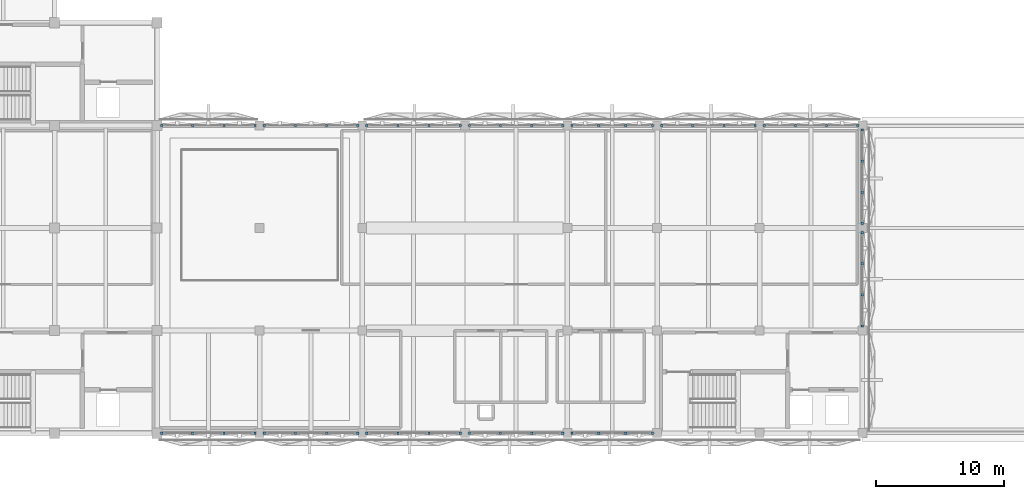
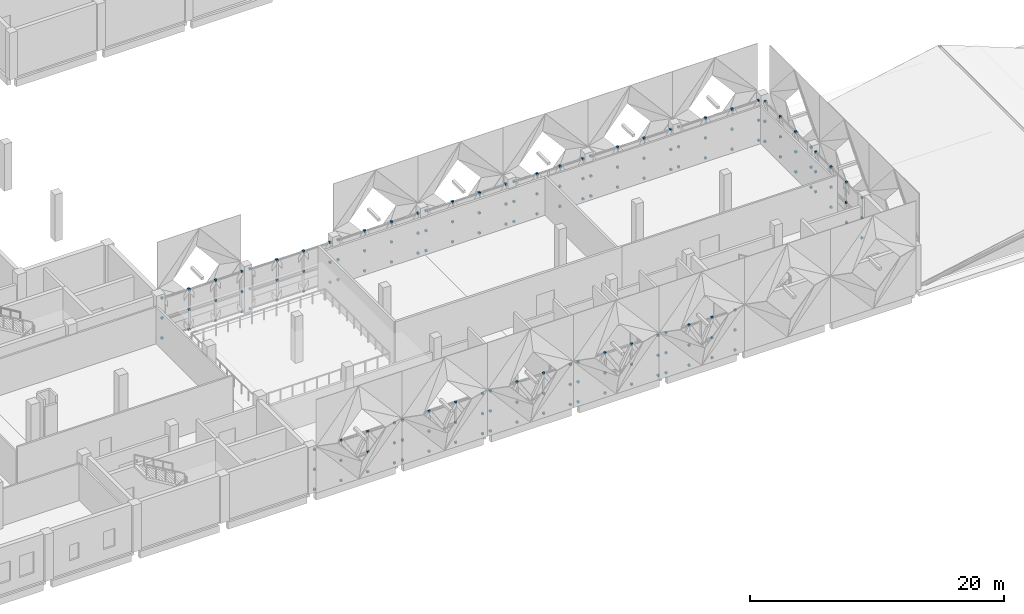
# One storey, part 28 of 37: 168 discrete accessories.
"""IFC4 building model written with IfcOpenShell, lengths in metres."""

from ifc_helpers import new_model, si_unit, direction, frame, origin, origin_2d, place, context, subcontext, project, spatial, rectangle, extrude, material, type_object, element, save


model = new_model("IFC4")

# Units and contexts
model_context = context("Model", 3, precision=1e-05, world=origin(), true_north=direction((0.0, 1.0)))
body_context = subcontext(model_context, "Body", "Model", "MODEL_VIEW")
ifc_project = project(units=[si_unit("LENGTHUNIT", "METRE"), si_unit("AREAUNIT", "SQUARE_METRE"), si_unit("VOLUMEUNIT", "CUBIC_METRE"), si_unit("PLANEANGLEUNIT", "RADIAN"), si_unit("MASSUNIT", "GRAM", prefix="KILO")], contexts=[model_context])

# Site, building, storey
site_placement = place(None, origin())
site = spatial("IfcSite", under=ifc_project, at=site_placement, CompositionType="ELEMENT")
building_placement = place(site_placement, origin())
building = spatial("IfcBuilding", under=site, at=building_placement, Name="Qorikala Patio Media Centre", CompositionType="ELEMENT")
storey_placement = place(building_placement, frame((0.0, 0.0, 14.39990234375)))
storey = spatial("IfcBuildingStorey", under=building, at=storey_placement, Name="L03", CompositionType="ELEMENT", Elevation=14.39990234375)

# Discrete accessories
ifc_material = material(Name="Steel S355", Category="steel")
discrete_accessory_type = type_object("IfcDiscreteAccessoryType", Name="ACC-BRACKET", PredefinedType="BRACKET", material=ifc_material)
for number, where, z_axis, x_axis, name in (
    (1, (98.0, 26.639892578125, -0.08984375), (0.0, 0.0, 1.0), (1.0, 0.0, 0.0), "L03 Brace End Bolted Connection Bracket 0487"),
    (2, (98.0, 24.21337890625, -0.08984375), (0.0, 0.0, 1.0), (1.0, 0.0, 0.0), "L03 Brace End Bolted Connection Bracket 0488"),
    (3, (98.0, 26.639892578125, 3.76025390625), (0.0, 0.0, 1.0), (1.0, 0.0, 0.0), "L03 Brace End Bolted Connection Bracket 0489"),
    (4, (98.0, 24.21337890625, 3.76025390625), (0.0, 0.0, 1.0), (1.0, 0.0, 0.0), "L03 Brace End Bolted Connection Bracket 0490"),
    (5, (98.0, 26.639892578125, 1.8349609375), (0.0, 0.0, 1.0), (1.0, 0.0, 0.0), "L03 Brace End Bolted Connection Bracket 0491"),
    (6, (98.0, 24.21337890625, 1.8349609375), (0.0, 0.0, 1.0), (1.0, 0.0, 0.0), "L03 Brace End Bolted Connection Bracket 0492"),
    (7, (98.0, 21.78662109375, -0.08984375), (0.0, 0.0, 1.0), (1.0, 0.0, 0.0), "L03 Brace End Bolted Connection Bracket 0493"),
    (8, (98.0, 21.78662109375, 3.76025390625), (0.0, 0.0, 1.0), (1.0, 0.0, 0.0), "L03 Brace End Bolted Connection Bracket 0494"),
    (9, (98.0, 21.78662109375, 1.8349609375), (0.0, 0.0, 1.0), (1.0, 0.0, 0.0), "L03 Brace End Bolted Connection Bracket 0495"),
    (10, (98.0, 19.360107421875, -0.08984375), (0.0, 0.0, 1.0), (1.0, 0.0, 0.0), "L03 Brace End Bolted Connection Bracket 0496"),
    (11, (98.0, 19.360107421875, 3.76025390625), (0.0, 0.0, 1.0), (1.0, 0.0, 0.0), "L03 Brace End Bolted Connection Bracket 0497"),
    (12, (98.0, 19.360107421875, 1.8349609375), (0.0, 0.0, 1.0), (1.0, 0.0, 0.0), "L03 Brace End Bolted Connection Bracket 0498"),
    (13, (98.0, 18.639892578125, -0.08984375), (0.0, 0.0, 1.0), (1.0, 0.0, 0.0), "L03 Brace End Bolted Connection Bracket 0499"),
    (14, (98.0, 16.21337890625, -0.08984375), (0.0, 0.0, 1.0), (1.0, 0.0, 0.0), "L03 Brace End Bolted Connection Bracket 0500"),
    (15, (98.0, 18.639892578125, 3.76025390625), (0.0, 0.0, 1.0), (1.0, 0.0, 0.0), "L03 Brace End Bolted Connection Bracket 0501"),
    (16, (98.0, 16.21337890625, 3.76025390625), (0.0, 0.0, 1.0), (1.0, 0.0, 0.0), "L03 Brace End Bolted Connection Bracket 0502"),
    (17, (98.0, 18.639892578125, 1.8349609375), (0.0, 0.0, 1.0), (1.0, 0.0, 0.0), "L03 Brace End Bolted Connection Bracket 0503"),
    (18, (98.0, 16.21337890625, 1.8349609375), (0.0, 0.0, 1.0), (1.0, 0.0, 0.0), "L03 Brace End Bolted Connection Bracket 0504"),
    (19, (98.0, 13.78662109375, -0.08984375), (0.0, 0.0, 1.0), (1.0, 0.0, 0.0), "L03 Brace End Bolted Connection Bracket 0505"),
    (20, (98.0, 13.78662109375, 3.76025390625), (0.0, 0.0, 1.0), (1.0, 0.0, 0.0), "L03 Brace End Bolted Connection Bracket 0506"),
    (21, (98.0, 13.78662109375, 1.8349609375), (0.0, 0.0, 1.0), (1.0, 0.0, 0.0), "L03 Brace End Bolted Connection Bracket 0507"),
    (22, (98.0, 11.360107421875, -0.08984375), (0.0, 0.0, 1.0), (1.0, 0.0, 0.0), "L03 Brace End Bolted Connection Bracket 0508"),
    (23, (98.0, 11.360107421875, 3.76025390625), (0.0, 0.0, 1.0), (1.0, 0.0, 0.0), "L03 Brace End Bolted Connection Bracket 0509"),
    (24, (98.0, 11.360107421875, 1.8349609375), (0.0, 0.0, 1.0), (1.0, 0.0, 0.0), "L03 Brace End Bolted Connection Bracket 0510"),
    (25, (81.639892578125, 3.0, -0.08984375), (0.0, 0.0, 1.0), (1.0, 0.0, 0.0), "L03 Brace End Bolted Connection Bracket 0511"),
    (26, (79.546630859375, 3.0, -0.08984375), (0.0, 0.0, 1.0), (1.0, 0.0, 0.0), "L03 Brace End Bolted Connection Bracket 0512"),
    (27, (81.639892578125, 3.0, 3.76025390625), (0.0, 0.0, 1.0), (1.0, 0.0, 0.0), "L03 Brace End Bolted Connection Bracket 0513"),
    (28, (79.546630859375, 3.0, 3.76025390625), (0.0, 0.0, 1.0), (1.0, 0.0, 0.0), "L03 Brace End Bolted Connection Bracket 0514"),
    (29, (81.639892578125, 3.0, 1.8349609375), (0.0, 0.0, 1.0), (1.0, 0.0, 0.0), "L03 Brace End Bolted Connection Bracket 0515"),
    (30, (79.546630859375, 3.0, 1.8349609375), (0.0, 0.0, 1.0), (1.0, 0.0, 0.0), "L03 Brace End Bolted Connection Bracket 0516"),
    (31, (77.453369140625, 3.0, -0.08984375), (0.0, 0.0, 1.0), (1.0, 0.0, 0.0), "L03 Brace End Bolted Connection Bracket 0517"),
    (32, (77.453369140625, 3.0, 3.76025390625), (0.0, 0.0, 1.0), (1.0, 0.0, 0.0), "L03 Brace End Bolted Connection Bracket 0518"),
    (33, (77.453369140625, 3.0, 1.8349609375), (0.0, 0.0, 1.0), (1.0, 0.0, 0.0), "L03 Brace End Bolted Connection Bracket 0519"),
    (34, (75.360107421875, 3.0, -0.08984375), (0.0, 0.0, 1.0), (1.0, 0.0, 0.0), "L03 Brace End Bolted Connection Bracket 0520"),
    (35, (75.360107421875, 3.0, 3.76025390625), (0.0, 0.0, 1.0), (1.0, 0.0, 0.0), "L03 Brace End Bolted Connection Bracket 0521"),
    (36, (75.360107421875, 3.0, 1.8349609375), (0.0, 0.0, 1.0), (1.0, 0.0, 0.0), "L03 Brace End Bolted Connection Bracket 0522"),
    (37, (74.639892578125, 3.0, -0.08984375), (0.0, 0.0, 1.0), (1.0, 0.0, 0.0), "L03 Brace End Bolted Connection Bracket 0523"),
    (38, (72.21337890625, 3.0, -0.08984375), (0.0, 0.0, 1.0), (1.0, 0.0, 0.0), "L03 Brace End Bolted Connection Bracket 0524"),
    (39, (74.639892578125, 3.0, 3.76025390625), (0.0, 0.0, 1.0), (1.0, 0.0, 0.0), "L03 Brace End Bolted Connection Bracket 0525"),
    (40, (72.21337890625, 3.0, 3.76025390625), (0.0, 0.0, 1.0), (1.0, 0.0, 0.0), "L03 Brace End Bolted Connection Bracket 0526"),
    (41, (74.639892578125, 3.0, 1.8349609375), (0.0, 0.0, 1.0), (1.0, 0.0, 0.0), "L03 Brace End Bolted Connection Bracket 0527"),
    (42, (72.21337890625, 3.0, 1.8349609375), (0.0, 0.0, 1.0), (1.0, 0.0, 0.0), "L03 Brace End Bolted Connection Bracket 0528"),
    (43, (69.78662109375, 3.0, -0.08984375), (0.0, 0.0, 1.0), (1.0, 0.0, 0.0), "L03 Brace End Bolted Connection Bracket 0529"),
    (44, (69.78662109375, 3.0, 3.76025390625), (0.0, 0.0, 1.0), (1.0, 0.0, 0.0), "L03 Brace End Bolted Connection Bracket 0530"),
    (45, (69.78662109375, 3.0, 1.8349609375), (0.0, 0.0, 1.0), (1.0, 0.0, 0.0), "L03 Brace End Bolted Connection Bracket 0531"),
    (46, (67.360107421875, 3.0, -0.08984375), (0.0, 0.0, 1.0), (1.0, 0.0, 0.0), "L03 Brace End Bolted Connection Bracket 0532"),
    (47, (67.360107421875, 3.0, 3.76025390625), (0.0, 0.0, 1.0), (1.0, 0.0, 0.0), "L03 Brace End Bolted Connection Bracket 0533"),
    (48, (67.360107421875, 3.0, 1.8349609375), (0.0, 0.0, 1.0), (1.0, 0.0, 0.0), "L03 Brace End Bolted Connection Bracket 0534"),
    (49, (66.639892578125, 3.0, -0.08984375), (0.0, 0.0, 1.0), (1.0, 0.0, 0.0), "L03 Brace End Bolted Connection Bracket 0535"),
    (50, (64.21337890625, 3.0, -0.08984375), (0.0, 0.0, 1.0), (1.0, 0.0, 0.0), "L03 Brace End Bolted Connection Bracket 0536"),
    (51, (66.639892578125, 3.0, 3.76025390625), (0.0, 0.0, 1.0), (1.0, 0.0, 0.0), "L03 Brace End Bolted Connection Bracket 0537"),
    (52, (64.21337890625, 3.0, 3.76025390625), (0.0, 0.0, 1.0), (1.0, 0.0, 0.0), "L03 Brace End Bolted Connection Bracket 0538"),
    (53, (66.639892578125, 3.0, 1.8349609375), (0.0, 0.0, 1.0), (1.0, 0.0, 0.0), "L03 Brace End Bolted Connection Bracket 0539"),
    (54, (64.21337890625, 3.0, 1.8349609375), (0.0, 0.0, 1.0), (1.0, 0.0, 0.0), "L03 Brace End Bolted Connection Bracket 0540"),
    (55, (61.78662109375, 3.0, -0.08984375), (0.0, 0.0, 1.0), (1.0, 0.0, 0.0), "L03 Brace End Bolted Connection Bracket 0541"),
    (56, (61.78662109375, 3.0, 3.76025390625), (0.0, 0.0, 1.0), (1.0, 0.0, 0.0), "L03 Brace End Bolted Connection Bracket 0542"),
    (57, (61.78662109375, 3.0, 1.8349609375), (0.0, 0.0, 1.0), (1.0, 0.0, 0.0), "L03 Brace End Bolted Connection Bracket 0543"),
    (58, (59.360107421875, 3.0, -0.08984375), (0.0, 0.0, 1.0), (1.0, 0.0, 0.0), "L03 Brace End Bolted Connection Bracket 0544"),
    (59, (59.360107421875, 3.0, 3.76025390625), (0.0, 0.0, 1.0), (1.0, 0.0, 0.0), "L03 Brace End Bolted Connection Bracket 0545"),
    (60, (59.360107421875, 3.0, 1.8349609375), (0.0, 0.0, 1.0), (1.0, 0.0, 0.0), "L03 Brace End Bolted Connection Bracket 0546"),
    (61, (58.639892578125, 3.0, -0.08984375), (0.0, 0.0, 1.0), (1.0, 0.0, 0.0), "L03 Brace End Bolted Connection Bracket 0547"),
    (62, (56.21337890625, 3.0, -0.08984375), (0.0, 0.0, 1.0), (1.0, 0.0, 0.0), "L03 Brace End Bolted Connection Bracket 0548"),
    (63, (58.639892578125, 3.0, 3.76025390625), (0.0, 0.0, 1.0), (1.0, 0.0, 0.0), "L03 Brace End Bolted Connection Bracket 0549"),
    (64, (56.21337890625, 3.0, 3.76025390625), (0.0, 0.0, 1.0), (1.0, 0.0, 0.0), "L03 Brace End Bolted Connection Bracket 0550"),
    (65, (58.639892578125, 3.0, 1.8349609375), (0.0, 0.0, 1.0), (1.0, 0.0, 0.0), "L03 Brace End Bolted Connection Bracket 0551"),
    (66, (56.21337890625, 3.0, 1.8349609375), (0.0, 0.0, 1.0), (1.0, 0.0, 0.0), "L03 Brace End Bolted Connection Bracket 0552"),
    (67, (53.78662109375, 3.0, -0.08984375), (0.0, 0.0, 1.0), (1.0, 0.0, 0.0), "L03 Brace End Bolted Connection Bracket 0553"),
    (68, (53.78662109375, 3.0, 3.76025390625), (0.0, 0.0, 1.0), (1.0, 0.0, 0.0), "L03 Brace End Bolted Connection Bracket 0554"),
    (69, (53.78662109375, 3.0, 1.8349609375), (0.0, 0.0, 1.0), (1.0, 0.0, 0.0), "L03 Brace End Bolted Connection Bracket 0555"),
    (70, (51.360107421875, 3.0, -0.08984375), (0.0, 0.0, 1.0), (1.0, 0.0, 0.0), "L03 Brace End Bolted Connection Bracket 0556"),
    (71, (51.360107421875, 3.0, 3.76025390625), (0.0, 0.0, 1.0), (1.0, 0.0, 0.0), "L03 Brace End Bolted Connection Bracket 0557"),
    (72, (51.360107421875, 3.0, 1.8349609375), (0.0, 0.0, 1.0), (1.0, 0.0, 0.0), "L03 Brace End Bolted Connection Bracket 0558"),
    (73, (50.639892578125, 3.0, -0.08984375), (0.0, 0.0, 1.0), (1.0, 0.0, 0.0), "L03 Brace End Bolted Connection Bracket 0559"),
    (74, (48.21337890625, 3.0, -0.08984375), (0.0, 0.0, 1.0), (1.0, 0.0, 0.0), "L03 Brace End Bolted Connection Bracket 0560"),
    (75, (50.639892578125, 3.0, 3.76025390625), (0.0, 0.0, 1.0), (1.0, 0.0, 0.0), "L03 Brace End Bolted Connection Bracket 0561"),
    (76, (48.21337890625, 3.0, 3.76025390625), (0.0, 0.0, 1.0), (1.0, 0.0, 0.0), "L03 Brace End Bolted Connection Bracket 0562"),
    (77, (50.639892578125, 3.0, 1.8349609375), (0.0, 0.0, 1.0), (1.0, 0.0, 0.0), "L03 Brace End Bolted Connection Bracket 0563"),
    (78, (48.21337890625, 3.0, 1.8349609375), (0.0, 0.0, 1.0), (1.0, 0.0, 0.0), "L03 Brace End Bolted Connection Bracket 0564"),
    (79, (45.78662109375, 3.0, -0.08984375), (0.0, 0.0, 1.0), (1.0, 0.0, 0.0), "L03 Brace End Bolted Connection Bracket 0565"),
    (80, (45.78662109375, 3.0, 3.76025390625), (0.0, 0.0, 1.0), (1.0, 0.0, 0.0), "L03 Brace End Bolted Connection Bracket 0566"),
    (81, (45.78662109375, 3.0, 1.8349609375), (0.0, 0.0, 1.0), (1.0, 0.0, 0.0), "L03 Brace End Bolted Connection Bracket 0567"),
    (82, (43.360107421875, 3.0, -0.08984375), (0.0, 0.0, 1.0), (1.0, 0.0, 0.0), "L03 Brace End Bolted Connection Bracket 0568"),
    (83, (43.360107421875, 3.0, 3.76025390625), (0.0, 0.0, 1.0), (1.0, 0.0, 0.0), "L03 Brace End Bolted Connection Bracket 0569"),
    (84, (43.360107421875, 3.0, 1.8349609375), (0.0, 0.0, 1.0), (1.0, 0.0, 0.0), "L03 Brace End Bolted Connection Bracket 0570"),
    (85, (43.360107421875, 27.0, -0.08984375), (0.0, 0.0, 1.0), (1.0, 0.0, 0.0), "L03 Brace End Bolted Connection Bracket 0571"),
    (86, (45.78662109375, 27.0, -0.08984375), (0.0, 0.0, 1.0), (1.0, 0.0, 0.0), "L03 Brace End Bolted Connection Bracket 0572"),
    (87, (43.360107421875, 27.0, 3.76025390625), (0.0, 0.0, 1.0), (1.0, 0.0, 0.0), "L03 Brace End Bolted Connection Bracket 0573"),
    (88, (45.78662109375, 27.0, 3.76025390625), (0.0, 0.0, 1.0), (1.0, 0.0, 0.0), "L03 Brace End Bolted Connection Bracket 0574"),
    (89, (43.360107421875, 27.0, 1.8349609375), (0.0, 0.0, 1.0), (1.0, 0.0, 0.0), "L03 Brace End Bolted Connection Bracket 0575"),
    (90, (45.78662109375, 27.0, 1.8349609375), (0.0, 0.0, 1.0), (1.0, 0.0, 0.0), "L03 Brace End Bolted Connection Bracket 0576"),
    (91, (48.21337890625, 27.0, -0.08984375), (0.0, 0.0, 1.0), (1.0, 0.0, 0.0), "L03 Brace End Bolted Connection Bracket 0577"),
    (92, (48.21337890625, 27.0, 3.76025390625), (0.0, 0.0, 1.0), (1.0, 0.0, 0.0), "L03 Brace End Bolted Connection Bracket 0578"),
    (93, (48.21337890625, 27.0, 1.8349609375), (0.0, 0.0, 1.0), (1.0, 0.0, 0.0), "L03 Brace End Bolted Connection Bracket 0579"),
    (94, (50.639892578125, 27.0, -0.08984375), (0.0, 0.0, 1.0), (1.0, 0.0, 0.0), "L03 Brace End Bolted Connection Bracket 0580"),
    (95, (50.639892578125, 27.0, 3.76025390625), (0.0, 0.0, 1.0), (1.0, 0.0, 0.0), "L03 Brace End Bolted Connection Bracket 0581"),
    (96, (50.639892578125, 27.0, 1.8349609375), (0.0, 0.0, 1.0), (1.0, 0.0, 0.0), "L03 Brace End Bolted Connection Bracket 0582"),
    (97, (51.360107421875, 27.0, -0.08984375), (0.0, 0.0, 1.0), (1.0, 0.0, 0.0), "L03 Brace End Bolted Connection Bracket 0583"),
    (98, (53.78662109375, 27.0, -0.08984375), (0.0, 0.0, 1.0), (1.0, 0.0, 0.0), "L03 Brace End Bolted Connection Bracket 0584"),
    (99, (51.360107421875, 27.0, 3.76025390625), (0.0, 0.0, 1.0), (1.0, 0.0, 0.0), "L03 Brace End Bolted Connection Bracket 0585"),
    (100, (53.78662109375, 27.0, 3.76025390625), (0.0, 0.0, 1.0), (1.0, 0.0, 0.0), "L03 Brace End Bolted Connection Bracket 0586"),
    (101, (51.360107421875, 27.0, 1.8349609375), (0.0, 0.0, 1.0), (1.0, 0.0, 0.0), "L03 Brace End Bolted Connection Bracket 0587"),
    (102, (53.78662109375, 27.0, 1.8349609375), (0.0, 0.0, 1.0), (1.0, 0.0, 0.0), "L03 Brace End Bolted Connection Bracket 0588"),
    (103, (56.21337890625, 27.0, -0.08984375), (0.0, 0.0, 1.0), (1.0, 0.0, 0.0), "L03 Brace End Bolted Connection Bracket 0589"),
    (104, (56.21337890625, 27.0, 3.76025390625), (0.0, 0.0, 1.0), (1.0, 0.0, 0.0), "L03 Brace End Bolted Connection Bracket 0590"),
    (105, (56.21337890625, 27.0, 1.8349609375), (0.0, 0.0, 1.0), (1.0, 0.0, 0.0), "L03 Brace End Bolted Connection Bracket 0591"),
    (106, (58.639892578125, 27.0, -0.08984375), (0.0, 0.0, 1.0), (1.0, 0.0, 0.0), "L03 Brace End Bolted Connection Bracket 0592"),
    (107, (58.639892578125, 27.0, 3.76025390625), (0.0, 0.0, 1.0), (1.0, 0.0, 0.0), "L03 Brace End Bolted Connection Bracket 0593"),
    (108, (58.639892578125, 27.0, 1.8349609375), (0.0, 0.0, 1.0), (1.0, 0.0, 0.0), "L03 Brace End Bolted Connection Bracket 0594"),
    (109, (59.360107421875, 27.0, -0.08984375), (0.0, 0.0, 1.0), (1.0, 0.0, 0.0), "L03 Brace End Bolted Connection Bracket 0595"),
    (110, (61.78662109375, 27.0, -0.08984375), (0.0, 0.0, 1.0), (1.0, 0.0, 0.0), "L03 Brace End Bolted Connection Bracket 0596"),
    (111, (59.360107421875, 27.0, 3.76025390625), (0.0, 0.0, 1.0), (1.0, 0.0, 0.0), "L03 Brace End Bolted Connection Bracket 0597"),
    (112, (61.78662109375, 27.0, 3.76025390625), (0.0, 0.0, 1.0), (1.0, 0.0, 0.0), "L03 Brace End Bolted Connection Bracket 0598"),
    (113, (59.360107421875, 27.0, 1.8349609375), (0.0, 0.0, 1.0), (1.0, 0.0, 0.0), "L03 Brace End Bolted Connection Bracket 0599"),
    (114, (61.78662109375, 27.0, 1.8349609375), (0.0, 0.0, 1.0), (1.0, 0.0, 0.0), "L03 Brace End Bolted Connection Bracket 0600"),
    (115, (64.21337890625, 27.0, -0.08984375), (0.0, 0.0, 1.0), (1.0, 0.0, 0.0), "L03 Brace End Bolted Connection Bracket 0601"),
    (116, (64.21337890625, 27.0, 3.76025390625), (0.0, 0.0, 1.0), (1.0, 0.0, 0.0), "L03 Brace End Bolted Connection Bracket 0602"),
    (117, (64.21337890625, 27.0, 1.8349609375), (0.0, 0.0, 1.0), (1.0, 0.0, 0.0), "L03 Brace End Bolted Connection Bracket 0603"),
    (118, (66.639892578125, 27.0, -0.08984375), (0.0, 0.0, 1.0), (1.0, 0.0, 0.0), "L03 Brace End Bolted Connection Bracket 0604"),
    (119, (66.639892578125, 27.0, 3.76025390625), (0.0, 0.0, 1.0), (1.0, 0.0, 0.0), "L03 Brace End Bolted Connection Bracket 0605"),
    (120, (66.639892578125, 27.0, 1.8349609375), (0.0, 0.0, 1.0), (1.0, 0.0, 0.0), "L03 Brace End Bolted Connection Bracket 0606"),
    (121, (67.360107421875, 27.0, -0.08984375), (0.0, 0.0, 1.0), (1.0, 0.0, 0.0), "L03 Brace End Bolted Connection Bracket 0607"),
    (122, (69.78662109375, 27.0, -0.08984375), (0.0, 0.0, 1.0), (1.0, 0.0, 0.0), "L03 Brace End Bolted Connection Bracket 0608"),
    (123, (67.360107421875, 27.0, 3.76025390625), (0.0, 0.0, 1.0), (1.0, 0.0, 0.0), "L03 Brace End Bolted Connection Bracket 0609"),
    (124, (69.78662109375, 27.0, 3.76025390625), (0.0, 0.0, 1.0), (1.0, 0.0, 0.0), "L03 Brace End Bolted Connection Bracket 0610"),
    (125, (67.360107421875, 27.0, 1.8349609375), (0.0, 0.0, 1.0), (1.0, 0.0, 0.0), "L03 Brace End Bolted Connection Bracket 0611"),
    (126, (69.78662109375, 27.0, 1.8349609375), (0.0, 0.0, 1.0), (1.0, 0.0, 0.0), "L03 Brace End Bolted Connection Bracket 0612"),
    (127, (72.21337890625, 27.0, -0.08984375), (0.0, 0.0, 1.0), (1.0, 0.0, 0.0), "L03 Brace End Bolted Connection Bracket 0613"),
    (128, (72.21337890625, 27.0, 3.76025390625), (0.0, 0.0, 1.0), (1.0, 0.0, 0.0), "L03 Brace End Bolted Connection Bracket 0614"),
    (129, (72.21337890625, 27.0, 1.8349609375), (0.0, 0.0, 1.0), (1.0, 0.0, 0.0), "L03 Brace End Bolted Connection Bracket 0615"),
    (130, (74.639892578125, 27.0, -0.08984375), (0.0, 0.0, 1.0), (1.0, 0.0, 0.0), "L03 Brace End Bolted Connection Bracket 0616"),
    (131, (74.639892578125, 27.0, 3.76025390625), (0.0, 0.0, 1.0), (1.0, 0.0, 0.0), "L03 Brace End Bolted Connection Bracket 0617"),
    (132, (74.639892578125, 27.0, 1.8349609375), (0.0, 0.0, 1.0), (1.0, 0.0, 0.0), "L03 Brace End Bolted Connection Bracket 0618"),
    (133, (75.360107421875, 27.0, -0.08984375), (0.0, 0.0, 1.0), (1.0, 0.0, 0.0), "L03 Brace End Bolted Connection Bracket 0619"),
    (134, (77.453369140625, 27.0, -0.08984375), (0.0, 0.0, 1.0), (1.0, 0.0, 0.0), "L03 Brace End Bolted Connection Bracket 0620"),
    (135, (75.360107421875, 27.0, 3.76025390625), (0.0, 0.0, 1.0), (1.0, 0.0, 0.0), "L03 Brace End Bolted Connection Bracket 0621"),
    (136, (77.453369140625, 27.0, 3.76025390625), (0.0, 0.0, 1.0), (1.0, 0.0, 0.0), "L03 Brace End Bolted Connection Bracket 0622"),
    (137, (75.360107421875, 27.0, 1.8349609375), (0.0, 0.0, 1.0), (1.0, 0.0, 0.0), "L03 Brace End Bolted Connection Bracket 0623"),
    (138, (77.453369140625, 27.0, 1.8349609375), (0.0, 0.0, 1.0), (1.0, 0.0, 0.0), "L03 Brace End Bolted Connection Bracket 0624"),
    (139, (79.546630859375, 27.0, -0.08984375), (0.0, 0.0, 1.0), (1.0, 0.0, 0.0), "L03 Brace End Bolted Connection Bracket 0625"),
    (140, (79.546630859375, 27.0, 3.76025390625), (0.0, 0.0, 1.0), (1.0, 0.0, 0.0), "L03 Brace End Bolted Connection Bracket 0626"),
    (141, (79.546630859375, 27.0, 1.8349609375), (0.0, 0.0, 1.0), (1.0, 0.0, 0.0), "L03 Brace End Bolted Connection Bracket 0627"),
    (142, (81.639892578125, 27.0, -0.08984375), (0.0, 0.0, 1.0), (1.0, 0.0, 0.0), "L03 Brace End Bolted Connection Bracket 0628"),
    (143, (81.639892578125, 27.0, 3.76025390625), (0.0, 0.0, 1.0), (1.0, 0.0, 0.0), "L03 Brace End Bolted Connection Bracket 0629"),
    (144, (81.639892578125, 27.0, 1.8349609375), (0.0, 0.0, 1.0), (1.0, 0.0, 0.0), "L03 Brace End Bolted Connection Bracket 0630"),
    (145, (82.360107421875, 27.0, -0.08984375), (0.0, 0.0, 1.0), (1.0, 0.0, 0.0), "L03 Brace End Bolted Connection Bracket 0631"),
    (146, (84.78662109375, 27.0, -0.08984375), (0.0, 0.0, 1.0), (1.0, 0.0, 0.0), "L03 Brace End Bolted Connection Bracket 0632"),
    (147, (82.360107421875, 27.0, 3.76025390625), (0.0, 0.0, 1.0), (1.0, 0.0, 0.0), "L03 Brace End Bolted Connection Bracket 0633"),
    (148, (84.78662109375, 27.0, 3.76025390625), (0.0, 0.0, 1.0), (1.0, 0.0, 0.0), "L03 Brace End Bolted Connection Bracket 0634"),
    (149, (82.360107421875, 27.0, 1.8349609375), (0.0, 0.0, 1.0), (1.0, 0.0, 0.0), "L03 Brace End Bolted Connection Bracket 0635"),
    (150, (84.78662109375, 27.0, 1.8349609375), (0.0, 0.0, 1.0), (1.0, 0.0, 0.0), "L03 Brace End Bolted Connection Bracket 0636"),
    (151, (87.21337890625, 27.0, -0.08984375), (0.0, 0.0, 1.0), (1.0, 0.0, 0.0), "L03 Brace End Bolted Connection Bracket 0637"),
    (152, (87.21337890625, 27.0, 3.76025390625), (0.0, 0.0, 1.0), (1.0, 0.0, 0.0), "L03 Brace End Bolted Connection Bracket 0638"),
    (153, (87.21337890625, 27.0, 1.8349609375), (0.0, 0.0, 1.0), (1.0, 0.0, 0.0), "L03 Brace End Bolted Connection Bracket 0639"),
    (154, (89.639892578125, 27.0, -0.08984375), (0.0, 0.0, 1.0), (1.0, 0.0, 0.0), "L03 Brace End Bolted Connection Bracket 0640"),
    (155, (89.639892578125, 27.0, 3.76025390625), (0.0, 0.0, 1.0), (1.0, 0.0, 0.0), "L03 Brace End Bolted Connection Bracket 0641"),
    (156, (89.639892578125, 27.0, 1.8349609375), (0.0, 0.0, 1.0), (1.0, 0.0, 0.0), "L03 Brace End Bolted Connection Bracket 0642"),
    (157, (90.360107421875, 27.0, -0.08984375), (0.0, 0.0, 1.0), (1.0, 0.0, 0.0), "L03 Brace End Bolted Connection Bracket 0643"),
    (158, (92.78662109375, 27.0, -0.08984375), (0.0, 0.0, 1.0), (1.0, 0.0, 0.0), "L03 Brace End Bolted Connection Bracket 0644"),
    (159, (90.360107421875, 27.0, 3.76025390625), (0.0, 0.0, 1.0), (1.0, 0.0, 0.0), "L03 Brace End Bolted Connection Bracket 0645"),
    (160, (92.78662109375, 27.0, 3.76025390625), (0.0, 0.0, 1.0), (1.0, 0.0, 0.0), "L03 Brace End Bolted Connection Bracket 0646"),
    (161, (90.360107421875, 27.0, 1.8349609375), (0.0, 0.0, 1.0), (1.0, 0.0, 0.0), "L03 Brace End Bolted Connection Bracket 0647"),
    (162, (92.78662109375, 27.0, 1.8349609375), (0.0, 0.0, 1.0), (1.0, 0.0, 0.0), "L03 Brace End Bolted Connection Bracket 0648"),
    (163, (95.21337890625, 27.0, -0.08984375), (0.0, 0.0, 1.0), (1.0, 0.0, 0.0), "L03 Brace End Bolted Connection Bracket 0649"),
    (164, (95.21337890625, 27.0, 3.76025390625), (0.0, 0.0, 1.0), (1.0, 0.0, 0.0), "L03 Brace End Bolted Connection Bracket 0650"),
    (165, (95.21337890625, 27.0, 1.8349609375), (0.0, 0.0, 1.0), (1.0, 0.0, 0.0), "L03 Brace End Bolted Connection Bracket 0651"),
    (166, (97.639892578125, 27.0, -0.08984375), (0.0, 0.0, 1.0), (1.0, 0.0, 0.0), "L03 Brace End Bolted Connection Bracket 0652"),
    (167, (97.639892578125, 27.0, 3.76025390625), (0.0, 0.0, 1.0), (1.0, 0.0, 0.0), "L03 Brace End Bolted Connection Bracket 0653"),
    (168, (97.639892578125, 27.0, 1.8349609375), (0.0, 0.0, 1.0), (1.0, 0.0, 0.0), "L03 Brace End Bolted Connection Bracket 0654"),
):
    element("IfcDiscreteAccessory", number, at=place(storey_placement, frame(where, z_axis=z_axis, x_axis=x_axis)), inside=storey, type_object=discrete_accessory_type, Name=name, PredefinedType="BRACKET", context=body_context, shape_type="SweptSolid", body=[
        extrude(rectangle(XDim=0.179931640625, YDim=0.179931640625, at=origin_2d()), origin(), (0.0, 0.0, 1.0), 0.179931640625),
    ])

save(model, "model.ifc")
